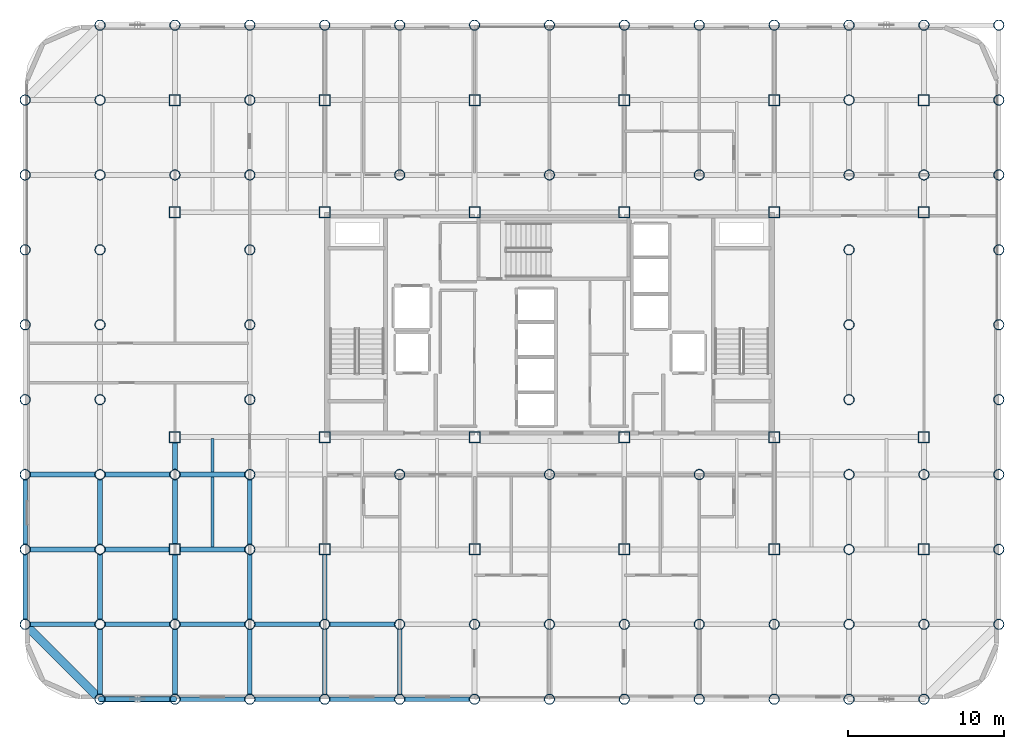
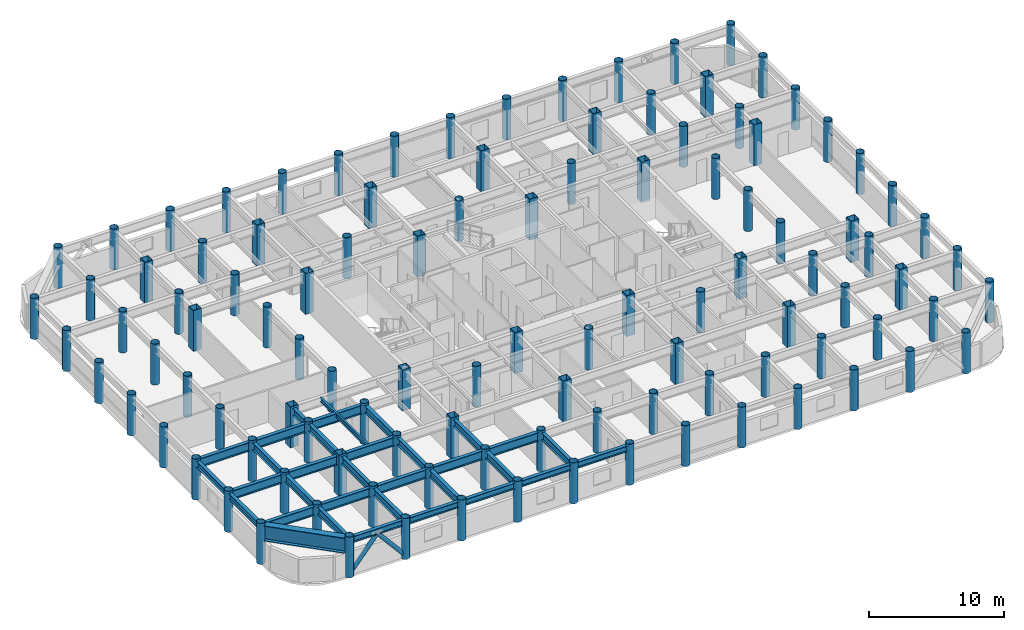
# One storey, part 1 of 20: 108 columns, 33 beams, 2 members.
"""IFC4 building model written with IfcOpenShell, lengths in metres."""

from ifc_helpers import new_model, si_unit, direction, frame, origin, origin_2d, place, context, subcontext, project, spatial, hollow_rectangle, hollow_circle, i_section, extrude, material, material_profile, profile_set, type_object, element, save


model = new_model("IFC4")

# Units and contexts
model_context = context("Model", 3, precision=1e-05, world=origin(), true_north=direction((0.0, 1.0)))
body_context = subcontext(model_context, "Body", "Model", "MODEL_VIEW")
ifc_project = project(units=[si_unit("LENGTHUNIT", "METRE"), si_unit("AREAUNIT", "SQUARE_METRE"), si_unit("VOLUMEUNIT", "CUBIC_METRE"), si_unit("PLANEANGLEUNIT", "RADIAN"), si_unit("MASSUNIT", "GRAM", prefix="KILO")], contexts=[model_context])

# Site, building, storey
site_placement = place(None, origin())
site = spatial("IfcSite", under=ifc_project, at=site_placement, CompositionType="ELEMENT")
building_placement = place(site_placement, origin())
building = spatial("IfcBuilding", under=site, at=building_placement, Name="Kallvorn Hotel Tower", CompositionType="ELEMENT")
storey_placement = place(building_placement, frame((0.0, 0.0, 161.800048828125)))
storey = spatial("IfcBuildingStorey", under=building, at=storey_placement, Name="L40", CompositionType="ELEMENT", Elevation=161.800048828125)

# Columns
ifc_material_1 = material(Name="Structural steel S355J2H", Category="steel")
ifc_material_profile_1 = material_profile(ifc_material_1, hollow_circle(Radius=0.330078125, WallThickness=0.028076171875, at=origin_2d()), Name="CHS 660x28")
ifc_profile_set_1 = profile_set([ifc_material_profile_1], Name="Structural steel S355J2H")
column_type_1 = type_object("IfcColumnType", Name="COL_CHS_660", PredefinedType="COLUMN", material=ifc_profile_set_1)
for number, where, z_axis, x_axis, name in (
    (1, (-33.60009765625, -19.199951171875, 0.0), (0.0, 0.0, 1.0), (1.0, 0.0, 0.0), "L40 Exoskeleton Column EC01"),
    (2, (-33.60009765625, -14.39990234375, 0.0), (0.0, 0.0, 1.0), (1.0, 0.0, 0.0), "L40 Exoskeleton Column EC02"),
    (3, (-33.60009765625, -9.60009765625, 0.0), (0.0, 0.0, 1.0), (1.0, 0.0, 0.0), "L40 Exoskeleton Column EC03"),
    (4, (-33.60009765625, -4.800048828125, 0.0), (0.0, 0.0, 1.0), (1.0, 0.0, 0.0), "L40 Exoskeleton Column EC04"),
    (5, (-33.60009765625, 0.0, 0.0), (0.0, 0.0, 1.0), (1.0, 0.0, 0.0), "L40 Exoskeleton Column EC05"),
    (6, (-33.60009765625, 4.800048828125, 0.0), (0.0, 0.0, 1.0), (1.0, 0.0, 0.0), "L40 Exoskeleton Column EC06"),
    (7, (-33.60009765625, 9.60009765625, 0.0), (0.0, 0.0, 1.0), (1.0, 0.0, 0.0), "L40 Exoskeleton Column EC07"),
    (8, (-33.60009765625, 14.39990234375, 0.0), (0.0, 0.0, 1.0), (1.0, 0.0, 0.0), "L40 Exoskeleton Column EC08"),
    (9, (-28.800048828125, -24.0, 0.0), (0.0, 0.0, 1.0), (1.0, 0.0, 0.0), "L40 Exoskeleton Column EC09"),
    (10, (-28.800048828125, -19.199951171875, 0.0), (0.0, 0.0, 1.0), (1.0, 0.0, 0.0), "L40 Exoskeleton Column EC10"),
    (11, (-28.800048828125, -14.39990234375, 0.0), (0.0, 0.0, 1.0), (1.0, 0.0, 0.0), "L40 Exoskeleton Column EC11"),
    (12, (-28.800048828125, -9.60009765625, 0.0), (0.0, 0.0, 1.0), (1.0, 0.0, 0.0), "L40 Exoskeleton Column EC12"),
    (13, (-28.800048828125, -4.800048828125, 0.0), (0.0, 0.0, 1.0), (1.0, 0.0, 0.0), "L40 Exoskeleton Column EC13"),
    (14, (-28.800048828125, 0.0, 0.0), (0.0, 0.0, 1.0), (1.0, 0.0, 0.0), "L40 Exoskeleton Column EC14"),
    (15, (-28.800048828125, 4.800048828125, 0.0), (0.0, 0.0, 1.0), (1.0, 0.0, 0.0), "L40 Exoskeleton Column EC15"),
    (16, (-28.800048828125, 9.60009765625, 0.0), (0.0, 0.0, 1.0), (1.0, 0.0, 0.0), "L40 Exoskeleton Column EC16"),
    (17, (-28.800048828125, 14.39990234375, 0.0), (0.0, 0.0, 1.0), (1.0, 0.0, 0.0), "L40 Exoskeleton Column EC17"),
    (18, (-28.800048828125, 19.199951171875, 0.0), (0.0, 0.0, 1.0), (1.0, 0.0, 0.0), "L40 Exoskeleton Column EC18"),
    (19, (-24.0, -24.0, 0.0), (0.0, 0.0, 1.0), (1.0, 0.0, 0.0), "L40 Exoskeleton Column EC19"),
    (20, (-24.0, -19.199951171875, 0.0), (0.0, 0.0, 1.0), (1.0, 0.0, 0.0), "L40 Exoskeleton Column EC20"),
    (21, (-24.0, -9.60009765625, 0.0), (0.0, 0.0, 1.0), (1.0, 0.0, 0.0), "L40 Exoskeleton Column EC21"),
    (22, (-24.0, 9.60009765625, 0.0), (0.0, 0.0, 1.0), (1.0, 0.0, 0.0), "L40 Exoskeleton Column EC22"),
    (23, (-24.0, 19.199951171875, 0.0), (0.0, 0.0, 1.0), (1.0, 0.0, 0.0), "L40 Exoskeleton Column EC23"),
    (24, (-19.199951171875, -24.0, 0.0), (0.0, 0.0, 1.0), (1.0, 0.0, 0.0), "L40 Exoskeleton Column EC24"),
    (25, (-19.199951171875, -19.199951171875, 0.0), (0.0, 0.0, 1.0), (1.0, 0.0, 0.0), "L40 Exoskeleton Column EC25"),
    (26, (-19.199951171875, -14.39990234375, 0.0), (0.0, 0.0, 1.0), (1.0, 0.0, 0.0), "L40 Exoskeleton Column EC26"),
    (27, (-19.199951171875, -9.60009765625, 0.0), (0.0, 0.0, 1.0), (1.0, 0.0, 0.0), "L40 Exoskeleton Column EC27"),
    (28, (-19.199951171875, -4.800048828125, 0.0), (0.0, 0.0, 1.0), (1.0, 0.0, 0.0), "L40 Exoskeleton Column EC28"),
    (29, (-19.199951171875, 0.0, 0.0), (0.0, 0.0, 1.0), (1.0, 0.0, 0.0), "L40 Exoskeleton Column EC29"),
    (30, (-19.199951171875, 4.800048828125, 0.0), (0.0, 0.0, 1.0), (1.0, 0.0, 0.0), "L40 Exoskeleton Column EC30"),
    (31, (-19.199951171875, 9.60009765625, 0.0), (0.0, 0.0, 1.0), (1.0, 0.0, 0.0), "L40 Exoskeleton Column EC31"),
    (32, (-19.199951171875, 14.39990234375, 0.0), (0.0, 0.0, 1.0), (1.0, 0.0, 0.0), "L40 Exoskeleton Column EC32"),
    (33, (-19.199951171875, 19.199951171875, 0.0), (0.0, 0.0, 1.0), (1.0, 0.0, 0.0), "L40 Exoskeleton Column EC33"),
    (34, (-14.39990234375, -24.0, 0.0), (0.0, 0.0, 1.0), (1.0, 0.0, 0.0), "L40 Exoskeleton Column EC34"),
    (35, (-14.39990234375, -19.199951171875, 0.0), (0.0, 0.0, 1.0), (1.0, 0.0, 0.0), "L40 Exoskeleton Column EC35"),
    (36, (-14.39990234375, 19.199951171875, 0.0), (0.0, 0.0, 1.0), (1.0, 0.0, 0.0), "L40 Exoskeleton Column EC36"),
    (37, (-9.60009765625, -24.0, 0.0), (0.0, 0.0, 1.0), (1.0, 0.0, 0.0), "L40 Exoskeleton Column EC37"),
    (38, (-9.60009765625, -19.199951171875, 0.0), (0.0, 0.0, 1.0), (1.0, 0.0, 0.0), "L40 Exoskeleton Column EC38"),
    (39, (-9.60009765625, -9.60009765625, 0.0), (0.0, 0.0, 1.0), (1.0, 0.0, 0.0), "L40 Exoskeleton Column EC39"),
    (40, (-9.60009765625, 9.60009765625, 0.0), (0.0, 0.0, 1.0), (1.0, 0.0, 0.0), "L40 Exoskeleton Column EC40"),
    (41, (-9.60009765625, 19.199951171875, 0.0), (0.0, 0.0, 1.0), (1.0, 0.0, 0.0), "L40 Exoskeleton Column EC41"),
    (42, (-4.800048828125, -24.0, 0.0), (0.0, 0.0, 1.0), (1.0, 0.0, 0.0), "L40 Exoskeleton Column EC42"),
    (43, (-4.800048828125, -19.199951171875, 0.0), (0.0, 0.0, 1.0), (1.0, 0.0, 0.0), "L40 Exoskeleton Column EC43"),
    (44, (-4.800048828125, 19.199951171875, 0.0), (0.0, 0.0, 1.0), (1.0, 0.0, 0.0), "L40 Exoskeleton Column EC44"),
    (45, (0.0, -24.0, 0.0), (0.0, 0.0, 1.0), (1.0, 0.0, 0.0), "L40 Exoskeleton Column EC45"),
    (46, (0.0, -19.199951171875, 0.0), (0.0, 0.0, 1.0), (1.0, 0.0, 0.0), "L40 Exoskeleton Column EC46"),
    (47, (0.0, -9.60009765625, 0.0), (0.0, 0.0, 1.0), (1.0, 0.0, 0.0), "L40 Exoskeleton Column EC47"),
    (48, (0.0, 9.60009765625, 0.0), (0.0, 0.0, 1.0), (1.0, 0.0, 0.0), "L40 Exoskeleton Column EC48"),
    (49, (0.0, 19.199951171875, 0.0), (0.0, 0.0, 1.0), (1.0, 0.0, 0.0), "L40 Exoskeleton Column EC49"),
    (50, (4.800048828125, -24.0, 0.0), (0.0, 0.0, 1.0), (1.0, 0.0, 0.0), "L40 Exoskeleton Column EC50"),
    (51, (4.800048828125, -19.199951171875, 0.0), (0.0, 0.0, 1.0), (1.0, 0.0, 0.0), "L40 Exoskeleton Column EC51"),
    (52, (4.800048828125, 19.199951171875, 0.0), (0.0, 0.0, 1.0), (1.0, 0.0, 0.0), "L40 Exoskeleton Column EC52"),
    (53, (9.60009765625, -24.0, 0.0), (0.0, 0.0, 1.0), (1.0, 0.0, 0.0), "L40 Exoskeleton Column EC53"),
    (54, (9.60009765625, -19.199951171875, 0.0), (0.0, 0.0, 1.0), (1.0, 0.0, 0.0), "L40 Exoskeleton Column EC54"),
    (55, (9.60009765625, -9.60009765625, 0.0), (0.0, 0.0, 1.0), (1.0, 0.0, 0.0), "L40 Exoskeleton Column EC55"),
    (56, (9.60009765625, 9.60009765625, 0.0), (0.0, 0.0, 1.0), (1.0, 0.0, 0.0), "L40 Exoskeleton Column EC56"),
    (57, (9.60009765625, 19.199951171875, 0.0), (0.0, 0.0, 1.0), (1.0, 0.0, 0.0), "L40 Exoskeleton Column EC57"),
    (58, (14.39990234375, -24.0, 0.0), (0.0, 0.0, 1.0), (1.0, 0.0, 0.0), "L40 Exoskeleton Column EC58"),
    (59, (14.39990234375, -19.199951171875, 0.0), (0.0, 0.0, 1.0), (1.0, 0.0, 0.0), "L40 Exoskeleton Column EC59"),
    (60, (14.39990234375, 19.199951171875, 0.0), (0.0, 0.0, 1.0), (1.0, 0.0, 0.0), "L40 Exoskeleton Column EC60"),
    (61, (19.199951171875, -24.0, 0.0), (0.0, 0.0, 1.0), (1.0, 0.0, 0.0), "L40 Exoskeleton Column EC61"),
    (62, (19.199951171875, -19.199951171875, 0.0), (0.0, 0.0, 1.0), (1.0, 0.0, 0.0), "L40 Exoskeleton Column EC62"),
    (63, (19.199951171875, -14.39990234375, 0.0), (0.0, 0.0, 1.0), (1.0, 0.0, 0.0), "L40 Exoskeleton Column EC63"),
    (64, (19.199951171875, -9.60009765625, 0.0), (0.0, 0.0, 1.0), (1.0, 0.0, 0.0), "L40 Exoskeleton Column EC64"),
    (65, (19.199951171875, -4.800048828125, 0.0), (0.0, 0.0, 1.0), (1.0, 0.0, 0.0), "L40 Exoskeleton Column EC65"),
    (66, (19.199951171875, 0.0, 0.0), (0.0, 0.0, 1.0), (1.0, 0.0, 0.0), "L40 Exoskeleton Column EC66"),
    (67, (19.199951171875, 4.800048828125, 0.0), (0.0, 0.0, 1.0), (1.0, 0.0, 0.0), "L40 Exoskeleton Column EC67"),
    (68, (19.199951171875, 9.60009765625, 0.0), (0.0, 0.0, 1.0), (1.0, 0.0, 0.0), "L40 Exoskeleton Column EC68"),
    (69, (19.199951171875, 14.39990234375, 0.0), (0.0, 0.0, 1.0), (1.0, 0.0, 0.0), "L40 Exoskeleton Column EC69"),
    (70, (19.199951171875, 19.199951171875, 0.0), (0.0, 0.0, 1.0), (1.0, 0.0, 0.0), "L40 Exoskeleton Column EC70"),
    (71, (24.0, -24.0, 0.0), (0.0, 0.0, 1.0), (1.0, 0.0, 0.0), "L40 Exoskeleton Column EC71"),
    (72, (24.0, -19.199951171875, 0.0), (0.0, 0.0, 1.0), (1.0, 0.0, 0.0), "L40 Exoskeleton Column EC72"),
    (73, (24.0, -9.60009765625, 0.0), (0.0, 0.0, 1.0), (1.0, 0.0, 0.0), "L40 Exoskeleton Column EC73"),
    (74, (24.0, 9.60009765625, 0.0), (0.0, 0.0, 1.0), (1.0, 0.0, 0.0), "L40 Exoskeleton Column EC74"),
    (75, (24.0, 19.199951171875, 0.0), (0.0, 0.0, 1.0), (1.0, 0.0, 0.0), "L40 Exoskeleton Column EC75"),
    (76, (28.800048828125, -19.199951171875, 0.0), (0.0, 0.0, 1.0), (1.0, 0.0, 0.0), "L40 Exoskeleton Column EC76"),
    (77, (28.800048828125, -14.39990234375, 0.0), (0.0, 0.0, 1.0), (1.0, 0.0, 0.0), "L40 Exoskeleton Column EC77"),
    (78, (28.800048828125, -9.60009765625, 0.0), (0.0, 0.0, 1.0), (1.0, 0.0, 0.0), "L40 Exoskeleton Column EC78"),
    (79, (28.800048828125, -4.800048828125, 0.0), (0.0, 0.0, 1.0), (1.0, 0.0, 0.0), "L40 Exoskeleton Column EC79"),
    (80, (28.800048828125, 0.0, 0.0), (0.0, 0.0, 1.0), (1.0, 0.0, 0.0), "L40 Exoskeleton Column EC80"),
    (81, (28.800048828125, 4.800048828125, 0.0), (0.0, 0.0, 1.0), (1.0, 0.0, 0.0), "L40 Exoskeleton Column EC81"),
    (82, (28.800048828125, 9.60009765625, 0.0), (0.0, 0.0, 1.0), (1.0, 0.0, 0.0), "L40 Exoskeleton Column EC82"),
    (83, (28.800048828125, 14.39990234375, 0.0), (0.0, 0.0, 1.0), (1.0, 0.0, 0.0), "L40 Exoskeleton Column EC83"),
    (84, (28.800048828125, 19.199951171875, 0.0), (0.0, 0.0, 1.0), (1.0, 0.0, 0.0), "L40 Exoskeleton Column EC84"),
):
    element("IfcColumn", number, at=place(storey_placement, frame(where, z_axis=z_axis, x_axis=x_axis)), inside=storey, type_object=column_type_1, Name=name, PredefinedType="COLUMN", context=body_context, shape_type="SweptSolid", body=[
        extrude(hollow_circle(Radius=0.330078125, WallThickness=0.028076171875, at=origin_2d()), origin(), (0.0, 0.0, 1.0), 3.699951171875),
    ])
ifc_material_2 = material(Name="Structural steel S355J2H", Category="steel")
ifc_material_profile_2 = material_profile(ifc_material_2, hollow_rectangle(XDim=0.699951171875, YDim=0.699951171875, WallThickness=0.031982421875, at=origin_2d()), Name="RHS 700x700x32")
ifc_profile_set_2 = profile_set([ifc_material_profile_2], Name="Structural steel S355J2H")
column_type_2 = type_object("IfcColumnType", Name="COL_RHS_700", PredefinedType="COLUMN", material=ifc_profile_set_2)
for number, where, z_axis, x_axis, name in (
    (85, (-24.0, -14.39990234375, 0.0), (0.0, 0.0, 1.0), (1.0, 0.0, 0.0), "L40 Inner Column IC01"),
    (86, (-24.0, -7.199951171875, 0.0), (0.0, 0.0, 1.0), (1.0, 0.0, 0.0), "L40 Inner Column IC02"),
    (87, (-24.0, 7.199951171875, 0.0), (0.0, 0.0, 1.0), (1.0, 0.0, 0.0), "L40 Inner Column IC03"),
    (88, (-24.0, 14.39990234375, 0.0), (0.0, 0.0, 1.0), (1.0, 0.0, 0.0), "L40 Inner Column IC04"),
    (89, (-14.39990234375, -14.39990234375, 0.0), (0.0, 0.0, 1.0), (1.0, 0.0, 0.0), "L40 Inner Column IC05"),
    (90, (-14.39990234375, -7.199951171875, 0.0), (0.0, 0.0, 1.0), (1.0, 0.0, 0.0), "L40 Inner Column IC06"),
    (91, (-14.39990234375, 7.199951171875, 0.0), (0.0, 0.0, 1.0), (1.0, 0.0, 0.0), "L40 Inner Column IC07"),
    (92, (-14.39990234375, 14.39990234375, 0.0), (0.0, 0.0, 1.0), (1.0, 0.0, 0.0), "L40 Inner Column IC08"),
    (93, (-4.800048828125, -14.39990234375, 0.0), (0.0, 0.0, 1.0), (1.0, 0.0, 0.0), "L40 Inner Column IC09"),
    (94, (-4.800048828125, -7.199951171875, 0.0), (0.0, 0.0, 1.0), (1.0, 0.0, 0.0), "L40 Inner Column IC10"),
    (95, (-4.800048828125, 7.199951171875, 0.0), (0.0, 0.0, 1.0), (1.0, 0.0, 0.0), "L40 Inner Column IC11"),
    (96, (-4.800048828125, 14.39990234375, 0.0), (0.0, 0.0, 1.0), (1.0, 0.0, 0.0), "L40 Inner Column IC12"),
    (97, (4.800048828125, -14.39990234375, 0.0), (0.0, 0.0, 1.0), (1.0, 0.0, 0.0), "L40 Inner Column IC13"),
    (98, (4.800048828125, -7.199951171875, 0.0), (0.0, 0.0, 1.0), (1.0, 0.0, 0.0), "L40 Inner Column IC14"),
    (99, (4.800048828125, 7.199951171875, 0.0), (0.0, 0.0, 1.0), (1.0, 0.0, 0.0), "L40 Inner Column IC15"),
    (100, (4.800048828125, 14.39990234375, 0.0), (0.0, 0.0, 1.0), (1.0, 0.0, 0.0), "L40 Inner Column IC16"),
    (101, (14.39990234375, -14.39990234375, 0.0), (0.0, 0.0, 1.0), (1.0, 0.0, 0.0), "L40 Inner Column IC17"),
    (102, (14.39990234375, -7.199951171875, 0.0), (0.0, 0.0, 1.0), (1.0, 0.0, 0.0), "L40 Inner Column IC18"),
    (103, (14.39990234375, 7.199951171875, 0.0), (0.0, 0.0, 1.0), (1.0, 0.0, 0.0), "L40 Inner Column IC19"),
    (104, (14.39990234375, 14.39990234375, 0.0), (0.0, 0.0, 1.0), (1.0, 0.0, 0.0), "L40 Inner Column IC20"),
    (105, (24.0, -14.39990234375, 0.0), (0.0, 0.0, 1.0), (1.0, 0.0, 0.0), "L40 Inner Column IC21"),
    (106, (24.0, -7.199951171875, 0.0), (0.0, 0.0, 1.0), (1.0, 0.0, 0.0), "L40 Inner Column IC22"),
    (107, (24.0, 7.199951171875, 0.0), (0.0, 0.0, 1.0), (1.0, 0.0, 0.0), "L40 Inner Column IC23"),
    (108, (24.0, 14.39990234375, 0.0), (0.0, 0.0, 1.0), (1.0, 0.0, 0.0), "L40 Inner Column IC24"),
):
    element("IfcColumn", number, at=place(storey_placement, frame(where, z_axis=z_axis, x_axis=x_axis)), inside=storey, type_object=column_type_2, Name=name, PredefinedType="COLUMN", context=body_context, shape_type="SweptSolid", body=[
        extrude(hollow_rectangle(XDim=0.699951171875, YDim=0.699951171875, WallThickness=0.031982421875, at=origin_2d()), origin(), (0.0, 0.0, 1.0), 3.699951171875),
    ])

# Beams
ifc_material_3 = material(Name="Structural steel S355JR", Category="steel")
ifc_material_profile_3 = material_profile(ifc_material_3, i_section(OverallWidth=0.300048828125, OverallDepth=0.550048828125, WebThickness=0.014892578125, FlangeThickness=0.029052734375, at=origin_2d()), Name="HE 550 B")
ifc_profile_set_3 = profile_set([ifc_material_profile_3], Name="Structural steel S355JR")
beam_type_1 = type_object("IfcBeamType", Name="BM_HE550B", PredefinedType="SPANDREL", material=ifc_profile_set_3)
for number, where, z_axis, x_axis, name in (
    (109, (-28.47998046875, -24.0, 3.244873046875), (1.0, 0.0, 0.0), (0.0, 1.0, 0.0), "L41 Perimeter Spandrel 151"),
    (110, (-23.679931640625, -24.0, 3.244873046875), (1.0, 0.0, 0.0), (0.0, 1.0, 0.0), "L41 Perimeter Spandrel 152"),
    (111, (-18.8798828125, -24.0, 3.244873046875), (1.0, 0.0, 0.0), (0.0, 1.0, 0.0), "L41 Perimeter Spandrel 153"),
):
    element("IfcBeam", number, at=place(storey_placement, frame(where, z_axis=z_axis, x_axis=x_axis)), inside=storey, type_object=beam_type_1, Name=name, PredefinedType="SPANDREL", context=body_context, shape_type="SweptSolid", body=[
        extrude(i_section(OverallWidth=0.300048828125, OverallDepth=0.550048828125, WebThickness=0.014892578125, FlangeThickness=0.029052734375, at=origin_2d()), origin(), (0.0, 0.0, 1.0), 4.159912109375),
    ])
beam_1_placement = place(storey_placement, frame((-14.080078125, -24.0, 3.244873046875), z_axis=(1.0, 0.0, 0.0), x_axis=(0.0, 1.0, 0.0)))
element("IfcBeam", 112, at=beam_1_placement, inside=storey, type_object=beam_type_1, Name="L41 Perimeter Spandrel 154", PredefinedType="SPANDREL", context=body_context, shape_type="SweptSolid", body=[
    extrude(i_section(OverallWidth=0.300048828125, OverallDepth=0.550048828125, WebThickness=0.014892578125, FlangeThickness=0.029052734375, at=origin_2d()), origin(), (0.0, 0.0, 1.0), 4.16015625),
])
for number, where, z_axis, x_axis, name in (
    (113, (-9.280029296875, -24.0, 3.244873046875), (1.0, 0.0, 0.0), (0.0, 1.0, 0.0), "L41 Perimeter Spandrel 155"),
    (114, (-33.60009765625, -18.8798828125, 3.244873046875), (0.0, 1.0, 0.0), (-1.0, 0.0, 0.0), "L41 Perimeter Spandrel 174"),
):
    element("IfcBeam", number, at=place(storey_placement, frame(where, z_axis=z_axis, x_axis=x_axis)), inside=storey, type_object=beam_type_1, Name=name, PredefinedType="SPANDREL", context=body_context, shape_type="SweptSolid", body=[
        extrude(i_section(OverallWidth=0.300048828125, OverallDepth=0.550048828125, WebThickness=0.014892578125, FlangeThickness=0.029052734375, at=origin_2d()), origin(), (0.0, 0.0, 1.0), 4.159912109375),
    ])
beam_2_placement = place(storey_placement, frame((-33.60009765625, -14.080078125, 3.244873046875), z_axis=(0.0, 1.0, 0.0), x_axis=(-1.0, 0.0, 0.0)))
element("IfcBeam", 115, at=beam_2_placement, inside=storey, type_object=beam_type_1, Name="L41 Perimeter Spandrel 175", PredefinedType="SPANDREL", context=body_context, shape_type="SweptSolid", body=[
    extrude(i_section(OverallWidth=0.300048828125, OverallDepth=0.550048828125, WebThickness=0.014892578125, FlangeThickness=0.029052734375, at=origin_2d()), origin(), (0.0, 0.0, 1.0), 4.16015625),
])
ifc_material_4 = material(Name="Structural steel S355JR", Category="steel")
ifc_material_profile_4 = material_profile(ifc_material_4, i_section(OverallWidth=0.300048828125, OverallDepth=0.64990234375, WebThickness=0.01611328125, FlangeThickness=0.031005859375, at=origin_2d()), Name="HE 650 B")
ifc_profile_set_4 = profile_set([ifc_material_profile_4], Name="Structural steel S355JR")
beam_type_2 = type_object("IfcBeamType", Name="BM_HE650B", PredefinedType="BEAM", material=ifc_profile_set_4)
beam_3_placement = place(storey_placement, frame((-28.800048828125, -23.695068359375, 3.195068359375), z_axis=(0.0, 1.0, 0.0), x_axis=(-1.0, 0.0, 0.0)))
element("IfcBeam", 116, at=beam_3_placement, inside=storey, type_object=beam_type_2, Name="L41 Primary Y-Girder 73", PredefinedType="BEAM", context=body_context, shape_type="SweptSolid", body=[
    extrude(i_section(OverallWidth=0.300048828125, OverallDepth=0.64990234375, WebThickness=0.01611328125, FlangeThickness=0.031005859375, at=origin_2d()), origin(), (0.0, 0.0, 1.0), 4.190185546875),
])
for number, where, z_axis, x_axis, name in (
    (117, (-28.800048828125, -18.89501953125, 3.195068359375), (0.0, 1.0, 0.0), (-1.0, 0.0, 0.0), "L41 Primary Y-Girder 74"),
    (118, (-28.800048828125, -14.094970703125, 3.195068359375), (0.0, 1.0, 0.0), (-1.0, 0.0, 0.0), "L41 Primary Y-Girder 75"),
):
    element("IfcBeam", number, at=place(storey_placement, frame(where, z_axis=z_axis, x_axis=x_axis)), inside=storey, type_object=beam_type_2, Name=name, PredefinedType="BEAM", context=body_context, shape_type="SweptSolid", body=[
        extrude(i_section(OverallWidth=0.300048828125, OverallDepth=0.64990234375, WebThickness=0.01611328125, FlangeThickness=0.031005859375, at=origin_2d()), origin(), (0.0, 0.0, 1.0), 4.18994140625),
    ])
beam_4_placement = place(storey_placement, frame((-24.0, -23.695068359375, 3.195068359375), z_axis=(0.0, 1.0, 0.0), x_axis=(-1.0, 0.0, 0.0)))
element("IfcBeam", 119, at=beam_4_placement, inside=storey, type_object=beam_type_2, Name="L41 Primary Y-Girder 82", PredefinedType="BEAM", context=body_context, shape_type="SweptSolid", body=[
    extrude(i_section(OverallWidth=0.300048828125, OverallDepth=0.64990234375, WebThickness=0.01611328125, FlangeThickness=0.031005859375, at=origin_2d()), origin(), (0.0, 0.0, 1.0), 4.190185546875),
])
for number, where, z_axis, x_axis, name in (
    (120, (-24.0, -18.89501953125, 3.195068359375), (0.0, 1.0, 0.0), (-1.0, 0.0, 0.0), "L41 Primary Y-Girder 83"),
    (121, (-24.0, -14.074951171875, 3.195068359375), (0.0, 1.0, 0.0), (-1.0, 0.0, 0.0), "L41 Primary Y-Girder 84"),
):
    element("IfcBeam", number, at=place(storey_placement, frame(where, z_axis=z_axis, x_axis=x_axis)), inside=storey, type_object=beam_type_2, Name=name, PredefinedType="BEAM", context=body_context, shape_type="SweptSolid", body=[
        extrude(i_section(OverallWidth=0.300048828125, OverallDepth=0.64990234375, WebThickness=0.01611328125, FlangeThickness=0.031005859375, at=origin_2d()), origin(), (0.0, 0.0, 1.0), 4.169921875),
    ])
beam_5_placement = place(storey_placement, frame((-24.0, -9.294921875, 3.195068359375), z_axis=(0.0, 1.0, 0.0), x_axis=(-1.0, 0.0, 0.0)))
element("IfcBeam", 122, at=beam_5_placement, inside=storey, type_object=beam_type_2, Name="L41 Primary Y-Girder 85", PredefinedType="BEAM", context=body_context, shape_type="SweptSolid", body=[
    extrude(i_section(OverallWidth=0.300048828125, OverallDepth=0.64990234375, WebThickness=0.01611328125, FlangeThickness=0.031005859375, at=origin_2d()), origin(), (0.0, 0.0, 1.0), 1.77001953125),
])
beam_6_placement = place(storey_placement, frame((-19.199951171875, -23.695068359375, 3.195068359375), z_axis=(0.0, 1.0, 0.0), x_axis=(-1.0, 0.0, 0.0)))
element("IfcBeam", 123, at=beam_6_placement, inside=storey, type_object=beam_type_2, Name="L41 Primary Y-Girder 89", PredefinedType="BEAM", context=body_context, shape_type="SweptSolid", body=[
    extrude(i_section(OverallWidth=0.300048828125, OverallDepth=0.64990234375, WebThickness=0.01611328125, FlangeThickness=0.031005859375, at=origin_2d()), origin(), (0.0, 0.0, 1.0), 4.190185546875),
])
for number, where, z_axis, x_axis, name in (
    (124, (-19.199951171875, -18.89501953125, 3.195068359375), (0.0, 1.0, 0.0), (-1.0, 0.0, 0.0), "L41 Primary Y-Girder 90"),
    (125, (-19.199951171875, -14.094970703125, 3.195068359375), (0.0, 1.0, 0.0), (-1.0, 0.0, 0.0), "L41 Primary Y-Girder 91"),
):
    element("IfcBeam", number, at=place(storey_placement, frame(where, z_axis=z_axis, x_axis=x_axis)), inside=storey, type_object=beam_type_2, Name=name, PredefinedType="BEAM", context=body_context, shape_type="SweptSolid", body=[
        extrude(i_section(OverallWidth=0.300048828125, OverallDepth=0.64990234375, WebThickness=0.01611328125, FlangeThickness=0.031005859375, at=origin_2d()), origin(), (0.0, 0.0, 1.0), 4.18994140625),
    ])
beam_7_placement = place(storey_placement, frame((-14.39990234375, -23.695068359375, 3.195068359375), z_axis=(0.0, 1.0, 0.0), x_axis=(-1.0, 0.0, 0.0)))
element("IfcBeam", 126, at=beam_7_placement, inside=storey, type_object=beam_type_2, Name="L41 Primary Y-Girder 98", PredefinedType="BEAM", context=body_context, shape_type="SweptSolid", body=[
    extrude(i_section(OverallWidth=0.300048828125, OverallDepth=0.64990234375, WebThickness=0.01611328125, FlangeThickness=0.031005859375, at=origin_2d()), origin(), (0.0, 0.0, 1.0), 4.190185546875),
])
beam_8_placement = place(storey_placement, frame((-14.39990234375, -18.89501953125, 3.195068359375), z_axis=(0.0, 1.0, 0.0), x_axis=(-1.0, 0.0, 0.0)))
element("IfcBeam", 127, at=beam_8_placement, inside=storey, type_object=beam_type_2, Name="L41 Primary Y-Girder 99", PredefinedType="BEAM", context=body_context, shape_type="SweptSolid", body=[
    extrude(i_section(OverallWidth=0.300048828125, OverallDepth=0.64990234375, WebThickness=0.01611328125, FlangeThickness=0.031005859375, at=origin_2d()), origin(), (0.0, 0.0, 1.0), 4.169921875),
])
beam_9_placement = place(storey_placement, frame((-9.60009765625, -23.695068359375, 3.195068359375), z_axis=(0.0, 1.0, 0.0), x_axis=(-1.0, 0.0, 0.0)))
element("IfcBeam", 128, at=beam_9_placement, inside=storey, type_object=beam_type_2, Name="L41 Primary Y-Girder 103", PredefinedType="BEAM", context=body_context, shape_type="SweptSolid", body=[
    extrude(i_section(OverallWidth=0.300048828125, OverallDepth=0.64990234375, WebThickness=0.01611328125, FlangeThickness=0.031005859375, at=origin_2d()), origin(), (0.0, 0.0, 1.0), 4.190185546875),
])
ifc_material_5 = material(Name="Structural steel S355JR", Category="steel")
ifc_material_profile_5 = material_profile(ifc_material_5, i_section(OverallWidth=0.300048828125, OverallDepth=0.800048828125, WebThickness=0.017578125, FlangeThickness=0.032958984375, at=origin_2d()), Name="HE 800 B")
ifc_profile_set_5 = profile_set([ifc_material_profile_5], Name="Structural steel S355JR")
beam_type_3 = type_object("IfcBeamType", Name="BM_HE800B", PredefinedType="BEAM", material=ifc_profile_set_5)
beam_10_placement = place(storey_placement, frame((-33.294921875, -19.199951171875, 3.119873046875), z_axis=(1.0, 0.0, 0.0), x_axis=(0.0, 1.0, 0.0)))
element("IfcBeam", 129, at=beam_10_placement, inside=storey, type_object=beam_type_3, Name="L41 Primary X-Girder 01", PredefinedType="BEAM", context=body_context, shape_type="SweptSolid", body=[
    extrude(i_section(OverallWidth=0.300048828125, OverallDepth=0.800048828125, WebThickness=0.017578125, FlangeThickness=0.032958984375, at=origin_2d()), origin(), (0.0, 0.0, 1.0), 4.18994140625),
])
for number, where, z_axis, x_axis, name in (
    (130, (-28.4951171875, -19.199951171875, 3.119873046875), (1.0, 0.0, 0.0), (0.0, 1.0, 0.0), "L41 Primary X-Girder 02"),
    (131, (-23.695068359375, -19.199951171875, 3.119873046875), (1.0, 0.0, 0.0), (0.0, 1.0, 0.0), "L41 Primary X-Girder 03"),
):
    element("IfcBeam", number, at=place(storey_placement, frame(where, z_axis=z_axis, x_axis=x_axis)), inside=storey, type_object=beam_type_3, Name=name, PredefinedType="BEAM", context=body_context, shape_type="SweptSolid", body=[
        extrude(i_section(OverallWidth=0.300048828125, OverallDepth=0.800048828125, WebThickness=0.017578125, FlangeThickness=0.032958984375, at=origin_2d()), origin(), (0.0, 0.0, 1.0), 4.190185546875),
    ])
for number, where, z_axis, x_axis, name in (
    (132, (-18.89501953125, -19.199951171875, 3.119873046875), (1.0, 0.0, 0.0), (0.0, 1.0, 0.0), "L41 Primary X-Girder 04"),
    (133, (-14.094970703125, -19.199951171875, 3.119873046875), (1.0, 0.0, 0.0), (0.0, 1.0, 0.0), "L41 Primary X-Girder 05"),
    (134, (-33.294921875, -14.39990234375, 3.119873046875), (1.0, 0.0, 0.0), (0.0, 1.0, 0.0), "L41 Primary X-Girder 14"),
):
    element("IfcBeam", number, at=place(storey_placement, frame(where, z_axis=z_axis, x_axis=x_axis)), inside=storey, type_object=beam_type_3, Name=name, PredefinedType="BEAM", context=body_context, shape_type="SweptSolid", body=[
        extrude(i_section(OverallWidth=0.300048828125, OverallDepth=0.800048828125, WebThickness=0.017578125, FlangeThickness=0.032958984375, at=origin_2d()), origin(), (0.0, 0.0, 1.0), 4.18994140625),
    ])
for number, where, z_axis, x_axis, name in (
    (135, (-28.4951171875, -14.39990234375, 3.119873046875), (1.0, 0.0, 0.0), (0.0, 1.0, 0.0), "L41 Primary X-Girder 15"),
    (136, (-23.675048828125, -14.39990234375, 3.119873046875), (1.0, 0.0, 0.0), (0.0, 1.0, 0.0), "L41 Primary X-Girder 16"),
):
    element("IfcBeam", number, at=place(storey_placement, frame(where, z_axis=z_axis, x_axis=x_axis)), inside=storey, type_object=beam_type_3, Name=name, PredefinedType="BEAM", context=body_context, shape_type="SweptSolid", body=[
        extrude(i_section(OverallWidth=0.300048828125, OverallDepth=0.800048828125, WebThickness=0.017578125, FlangeThickness=0.032958984375, at=origin_2d()), origin(), (0.0, 0.0, 1.0), 4.170166015625),
    ])
beam_11_placement = place(storey_placement, frame((-33.294921875, -9.60009765625, 3.119873046875), z_axis=(1.0, 0.0, 0.0), x_axis=(0.0, 1.0, 0.0)))
element("IfcBeam", 137, at=beam_11_placement, inside=storey, type_object=beam_type_3, Name="L41 Primary X-Girder 24", PredefinedType="BEAM", context=body_context, shape_type="SweptSolid", body=[
    extrude(i_section(OverallWidth=0.300048828125, OverallDepth=0.800048828125, WebThickness=0.017578125, FlangeThickness=0.032958984375, at=origin_2d()), origin(), (0.0, 0.0, 1.0), 4.18994140625),
])
for number, where, z_axis, x_axis, name in (
    (138, (-28.4951171875, -9.60009765625, 3.119873046875), (1.0, 0.0, 0.0), (0.0, 1.0, 0.0), "L41 Primary X-Girder 25"),
    (139, (-23.695068359375, -9.60009765625, 3.119873046875), (1.0, 0.0, 0.0), (0.0, 1.0, 0.0), "L41 Primary X-Girder 26"),
):
    element("IfcBeam", number, at=place(storey_placement, frame(where, z_axis=z_axis, x_axis=x_axis)), inside=storey, type_object=beam_type_3, Name=name, PredefinedType="BEAM", context=body_context, shape_type="SweptSolid", body=[
        extrude(i_section(OverallWidth=0.300048828125, OverallDepth=0.800048828125, WebThickness=0.017578125, FlangeThickness=0.032958984375, at=origin_2d()), origin(), (0.0, 0.0, 1.0), 4.190185546875),
    ])
ifc_material_6 = material(Name="Structural steel S355JR", Category="steel")
ifc_material_profile_6 = material_profile(ifc_material_6, i_section(OverallWidth=0.179931640625, OverallDepth=0.39990234375, WebThickness=0.008544921875, FlangeThickness=0.013427734375, at=origin_2d()), Name="IPE 400")
ifc_profile_set_6 = profile_set([ifc_material_profile_6], Name="Structural steel S355JR")
beam_type_4 = type_object("IfcBeamType", Name="BM_IPE400", PredefinedType="JOIST", material=ifc_profile_set_6)
beam_12_placement = place(storey_placement, frame((-21.60009765625, -14.300048828125, 3.320068359375), z_axis=(0.0, 1.0, 0.0), x_axis=(-1.0, 0.0, 0.0)))
element("IfcBeam", 140, at=beam_12_placement, inside=storey, type_object=beam_type_4, Name="L41 Secondary Composite Joist 192", PredefinedType="JOIST", context=body_context, shape_type="SweptSolid", body=[
    extrude(i_section(OverallWidth=0.179931640625, OverallDepth=0.39990234375, WebThickness=0.008544921875, FlangeThickness=0.013427734375, at=origin_2d()), origin(), (0.0, 0.0, 1.0), 7.0),
])
ifc_material_7 = material(Name="Structural steel S355JR", Category="steel")
ifc_material_profile_7 = material_profile(ifc_material_7, i_section(OverallWidth=0.550048828125, OverallDepth=1.39990234375, WebThickness=0.02490234375, FlangeThickness=0.044921875, at=origin_2d()), Name="PG 1400x550x25x45")
ifc_profile_set_7 = profile_set([ifc_material_profile_7], Name="Structural steel S355JR")
beam_type_5 = type_object("IfcBeamType", Name="BM_PG_1400", PredefinedType="BEAM", material=ifc_profile_set_7)
beam_13_placement = place(storey_placement, frame((-33.373779296875, -19.42626953125, 2.820068359375), z_axis=(0.707106781187, -0.707106781187, 0.0), x_axis=(0.707106781187, 0.707106781187, 0.0)))
element("IfcBeam", 141, at=beam_13_placement, inside=storey, type_object=beam_type_5, Name="L41 Rounded Corner Tie Beam 189", PredefinedType="BEAM", context=body_context, shape_type="SweptSolid", body=[
    extrude(i_section(OverallWidth=0.550048828125, OverallDepth=1.39990234375, WebThickness=0.02490234375, FlangeThickness=0.044921875, at=origin_2d()), origin(), (0.0, 0.0, 1.0), 6.148193359375),
])

# Members
ifc_material_8 = material(Name="Structural steel S355J2H", Category="steel")
ifc_material_profile_8 = material_profile(ifc_material_8, hollow_circle(Radius=0.177734375, WallThickness=0.01416015625, at=origin_2d()), Name="CHS 355.6x14.2")
ifc_profile_set_8 = profile_set([ifc_material_profile_8], Name="Structural steel S355J2H")
member_type = type_object("IfcMemberType", Name="MBR_EXO_CHS355", PredefinedType="BRACE", material=ifc_profile_set_8)
for number, where, z_axis, x_axis, name in (
    (142, (-28.787109375, -24.0, 0.1953125), (0.646833296797, 0.0, 0.762631422218), (0.0, 1.0, 0.0), "L40 Exoskeleton K-Brace S1A"),
    (143, (-24.012939453125, -24.0, 0.1953125), (-0.646833296797, 0.0, 0.762631422218), (0.0, -1.0, 0.0), "L40 Exoskeleton K-Brace S1B"),
):
    element("IfcMember", number, at=place(storey_placement, frame(where, z_axis=z_axis, x_axis=x_axis)), inside=storey, type_object=member_type, Name=name, PredefinedType="BRACE", context=body_context, shape_type="SweptSolid", body=[
        extrude(hollow_circle(Radius=0.177734375, WallThickness=0.01416015625, at=origin_2d()), origin(), (0.0, 0.0, 1.0), 3.670654296875),
    ])

save(model, "model.ifc")
